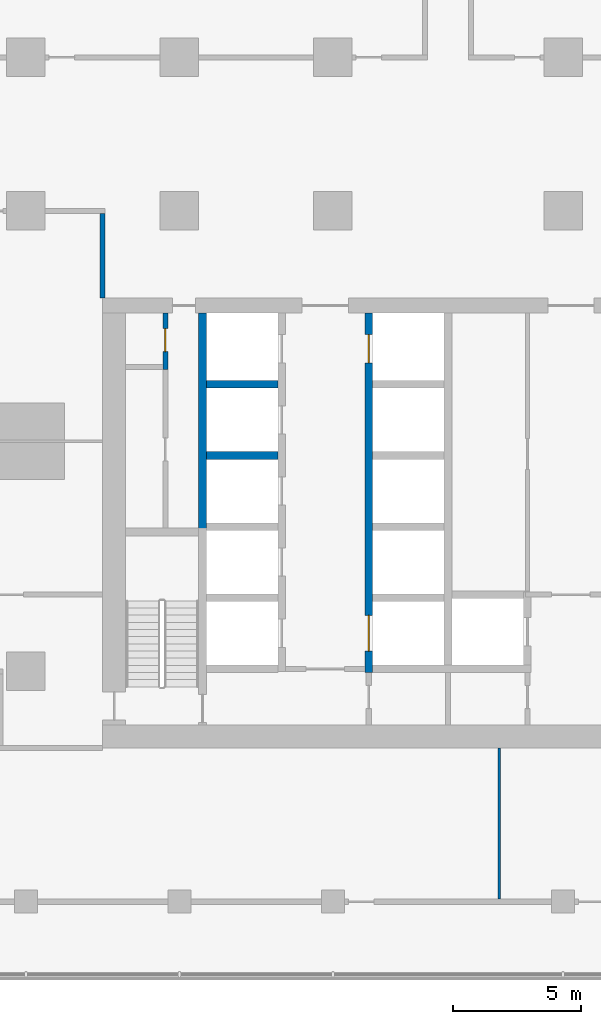
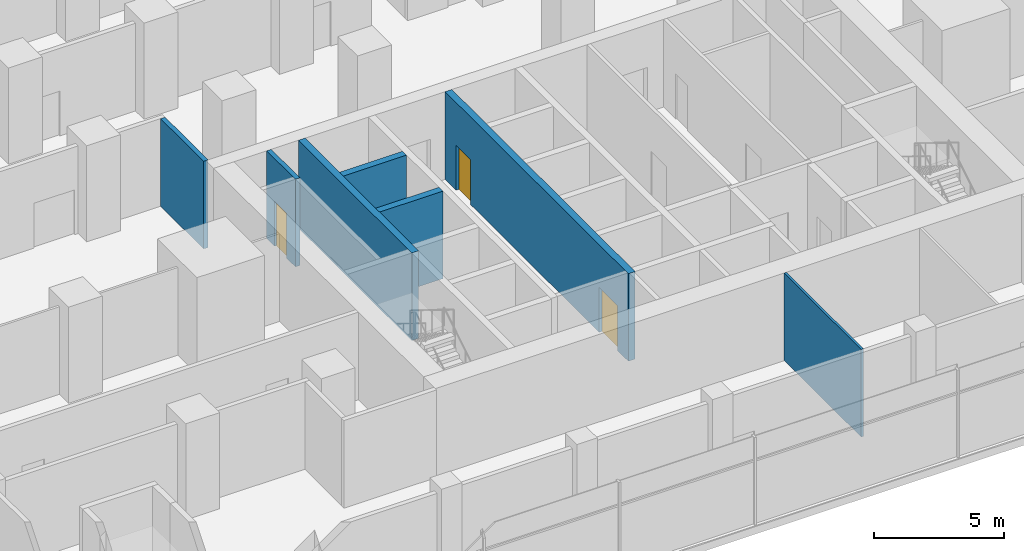
# One storey, part 13 of 22: 7 walls, 3 doors, 3 openings.
"""IFC4 building model written with IfcOpenShell, lengths in metres."""

from ifc_helpers import new_model, si_unit, direction, frame, frame_2d, origin, place, context, subcontext, project, spatial, rectangle, extrude, material, layer, layer_set, type_object, element, fill, save


model = new_model("IFC4")

# Units and contexts
model_context = context("Model", 3, precision=1e-05, world=origin(), true_north=direction((0.0, 1.0)))
body_context = subcontext(model_context, "Body", "Model", "MODEL_VIEW")
ifc_project = project(units=[si_unit("LENGTHUNIT", "METRE"), si_unit("AREAUNIT", "SQUARE_METRE"), si_unit("VOLUMEUNIT", "CUBIC_METRE"), si_unit("PLANEANGLEUNIT", "RADIAN"), si_unit("MASSUNIT", "GRAM", prefix="KILO")], contexts=[model_context])

# Site, building, storey
site_placement = place(None, origin())
site = spatial("IfcSite", under=ifc_project, at=site_placement, CompositionType="ELEMENT")
building_placement = place(site_placement, origin())
building = spatial("IfcBuilding", under=site, at=building_placement, Name="Finial Court Residences", CompositionType="ELEMENT")
storey_placement = place(building_placement, frame((0.0, 0.0, 28.0)))
storey = spatial("IfcBuildingStorey", under=building, at=storey_placement, Name="L05", CompositionType="ELEMENT", Elevation=28.0)

# Walls
ifc_material_1 = material(Name="Gypsum board")
ifc_layer_1 = layer(ifc_material_1, 0.02490234375)
ifc_material_2 = material(Name="Acoustic mineral wool in double frame")
ifc_layer_2 = layer(ifc_material_2, 0.14990234375)
ifc_layer_3 = layer(ifc_material_1, 0.02490234375)
ifc_layer_set_1 = layer_set([ifc_layer_1, ifc_layer_2, ifc_layer_3], Name="Corridor wall 200, 1 hour")
wall_type_1 = type_object("IfcWallType", Name="Corridor wall 200, 1 hour", PredefinedType="PARTITIONING", material=ifc_layer_set_1)
wall_1_placement = place(storey_placement, frame((-13.5, -7.89990234375, 0.0), z_axis=(0.0, 0.0, 1.0), x_axis=(0.0, 1.0, 0.0)))
element("IfcWall", 1, at=wall_1_placement, inside=storey, type_object=wall_type_1, Name="Partition L05-046", PredefinedType="PARTITIONING", context=body_context, shape_type="SweptSolid", body=[
    extrude(rectangle(XDim=3.2998046875, YDim=0.199951171875, at=frame_2d((1.64990234375, 0.0))), origin(), (0.0, 0.0, 1.0), 4.10009765625),
])
ifc_layer_4 = layer(ifc_material_1, 0.012451171875)
ifc_material_3 = material(Name="Mineral wool in light-gauge frame")
ifc_layer_5 = layer(ifc_material_3, 0.074951171875)
ifc_layer_6 = layer(ifc_material_1, 0.012451171875)
ifc_layer_set_2 = layer_set([ifc_layer_4, ifc_layer_5, ifc_layer_6], Name="Gypsum board partition 100")
wall_type_2 = type_object("IfcWallType", Name="Gypsum board partition 100", PredefinedType="PARTITIONING", material=ifc_layer_set_2)
wall_2_placement = place(storey_placement, frame((2.0, -31.39990234375, 0.0), z_axis=(0.0, 0.0, 1.0), x_axis=(0.0, 1.0, 0.0)))
element("IfcWall", 2, at=wall_2_placement, inside=storey, type_object=wall_type_2, Name="Partition L05-050", PredefinedType="PARTITIONING", context=body_context, shape_type="SweptSolid", body=[
    extrude(rectangle(XDim=5.89990234375, YDim=0.10009765625, at=frame_2d((2.949951171875, 0.0))), origin(), (0.0, 0.0, 1.0), 4.10009765625),
])
ifc_material_4 = material(Name="Concrete C80/95", Category="concrete")
ifc_layer_7 = layer(ifc_material_4, 0.300048828125)
ifc_layer_set_3 = layer_set([ifc_layer_7], Name="Lift shaft and stair wall 300 Concrete C80/95")
wall_type_3 = type_object("IfcWallType", Name="Lift shaft and stair wall 300 Concrete C80/95", PredefinedType="SHEAR", material=ifc_layer_set_3)
for number, where, z_axis, x_axis, name in (
    (3, (-9.449951171875, -14.06005859375, 0.0), (0.0, 0.0, 1.0), (1.0, 0.0, 0.0), "Core wall L05-14"),
    (4, (-9.449951171875, -11.280029296875, 0.0), (0.0, 0.0, 1.0), (1.0, 0.0, 0.0), "Core wall L05-17"),
):
    element("IfcWall", number, at=place(storey_placement, frame(where, z_axis=z_axis, x_axis=x_axis)), inside=storey, type_object=wall_type_3, Name=name, PredefinedType="SHEAR", context=body_context, shape_type="SweptSolid", body=[
        extrude(rectangle(XDim=2.800048828125, YDim=0.300048828125, at=frame_2d((1.39990234375, 0.0))), origin(), (0.0, 0.0, 1.0), 4.10009765625),
    ])
wall_3_placement = place(storey_placement, frame((-9.60009765625, -17.199951171875, 0.0), z_axis=(0.0, 0.0, 1.0), x_axis=(0.0, 1.0, 0.0)))
element("IfcWall", 5, at=wall_3_placement, inside=storey, type_object=wall_type_3, Name="Core wall L05-24", PredefinedType="SHEAR", context=body_context, shape_type="SweptSolid", body=[
    extrude(rectangle(XDim=8.699951171875, YDim=0.300048828125, at=frame_2d((4.35009765625, 0.0))), origin(), (0.0, 0.0, 1.0), 4.10009765625),
])

# Wall, openings, doors
wall_4_placement = place(storey_placement, frame((-3.10009765625, -22.550048828125, 0.0), z_axis=(0.0, 0.0, 1.0), x_axis=(0.0, 1.0, 0.0)))
wall_4 = element("IfcWall", 6, at=wall_4_placement, inside=storey, type_object=wall_type_3, Name="Core wall L05-27", PredefinedType="SHEAR", context=body_context, shape_type="SweptSolid", body=[
    extrude(rectangle(XDim=14.050048828125, YDim=0.300048828125, at=frame_2d((7.02490234375, 0.0))), origin(), (0.0, 0.0, 1.0), 4.10009765625),
])
opening_1_placement = place(wall_4_placement, frame((12.110107421875, 0.0, 0.0)))
opening_1 = element("IfcOpeningElement", 7, at=opening_1_placement, cuts=wall_4, Name="Opening L05-LD08", PredefinedType="OPENING", context=body_context, shape_type="SweptSolid", body=[
    extrude(rectangle(XDim=1.10009765625, YDim=2.10009765625, at=frame_2d((0.550048828125, 1.050048828125))), frame((0.0, 0.159912109375, 0.0), z_axis=(0.0, -1.0, 0.0), x_axis=(1.0, 0.0, 0.0)), (0.0, 0.0, 1.0), 0.320068359375),
])
opening_2_placement = place(wall_4_placement, frame((0.840087890625, 0.0, 0.0)))
opening_2 = element("IfcOpeningElement", 8, at=opening_2_placement, cuts=wall_4, Name="Opening L05-LD09", PredefinedType="OPENING", context=body_context, shape_type="SweptSolid", body=[
    extrude(rectangle(XDim=1.39990234375, YDim=2.10009765625, at=frame_2d((0.699951171875, 1.050048828125))), frame((0.0, 0.159912109375, 0.0), z_axis=(0.0, -1.0, 0.0), x_axis=(1.0, 0.0, 0.0)), (0.0, 0.0, 1.0), 0.320068359375),
])
ifc_material_5 = material(Name="Stainless steel lift door", Category="steel")
door_type_1 = type_object("IfcDoorType", Name="Lift landing door 1100 x 2100 EI 90", OperationType="DOUBLE_DOOR_SLIDING", PredefinedType="DOOR", material=ifc_material_5)
door_1_placement = place(opening_1_placement, origin())
door_1 = element("IfcDoor", 9, at=door_1_placement, inside=storey, type_object=door_type_1, Name="Lift landing door LR6 L05", OperationType="DOUBLE_DOOR_SLIDING", OverallHeight=2.10009765625, OverallWidth=1.10009765625, PredefinedType="DOOR", context=body_context, shape_type="SweptSolid", body=[
    extrude(rectangle(XDim=1.10009765625, YDim=2.10009765625, at=frame_2d((0.550048828125, 1.050048828125))), frame((0.0, 0.02490234375, 0.0), z_axis=(0.0, -1.0, 0.0), x_axis=(1.0, 0.0, 0.0)), (0.0, 0.0, 1.0), 0.050048828125),
])
fill(opening_1, door_1)
door_type_2 = type_object("IfcDoorType", Name="Lift landing door 1400 x 2100 EI 90", OperationType="DOUBLE_DOOR_SLIDING", PredefinedType="DOOR", material=ifc_material_5)
door_2_placement = place(opening_2_placement, origin())
door_2 = element("IfcDoor", 10, at=door_2_placement, inside=storey, type_object=door_type_2, Name="Lift landing door SV1 L05", OperationType="DOUBLE_DOOR_SLIDING", OverallHeight=2.10009765625, OverallWidth=1.39990234375, PredefinedType="DOOR", context=body_context, shape_type="SweptSolid", body=[
    extrude(rectangle(XDim=1.39990234375, YDim=2.10009765625, at=frame_2d((0.699951171875, 1.050048828125))), frame((0.0, 0.02490234375, 0.0), z_axis=(0.0, -1.0, 0.0), x_axis=(1.0, 0.0, 0.0)), (0.0, 0.0, 1.0), 0.050048828125),
])
fill(opening_2, door_2)

# Wall, opening, door
ifc_material_6 = material(Name="Fire-rated gypsum board partition")
ifc_layer_8 = layer(ifc_material_6, 0.199951171875)
ifc_layer_set_4 = layer_set([ifc_layer_8], Name="Riser room wall 200 EI 120")
wall_type_4 = type_object("IfcWallType", Name="Riser room wall 200 EI 120", PredefinedType="PARTITIONING", material=ifc_layer_set_4)
wall_5_placement = place(storey_placement, frame((-11.050048828125, -10.699951171875, 0.0), z_axis=(0.0, 0.0, 1.0), x_axis=(0.0, 1.0, 0.0)))
wall_5 = element("IfcWall", 11, at=wall_5_placement, inside=storey, type_object=wall_type_4, Name="Core partition L05-22", PredefinedType="PARTITIONING", context=body_context, shape_type="SweptSolid", body=[
    extrude(rectangle(XDim=2.199951171875, YDim=0.199951171875, at=frame_2d((1.10009765625, 0.0))), origin(), (0.0, 0.0, 1.0), 4.10009765625),
])
opening_3_placement = place(wall_5_placement, frame((0.699951171875, 0.0, 0.0)))
opening_3 = element("IfcOpeningElement", 12, at=opening_3_placement, cuts=wall_5, Name="Opening L05-C07", PredefinedType="OPENING", context=body_context, shape_type="SweptSolid", body=[
    extrude(rectangle(XDim=0.89990234375, YDim=2.10009765625, at=frame_2d((0.449951171875, 1.050048828125))), frame((0.0, 0.10986328125, 0.0), z_axis=(0.0, -1.0, 0.0), x_axis=(1.0, 0.0, 0.0)), (0.0, 0.0, 1.0), 0.219970703125),
])
ifc_material_7 = material(Name="Steel fire door", Category="steel")
door_type_3 = type_object("IfcDoorType", Name="Riser room door 900 x 2100 EI 90", OperationType="NOTDEFINED", PredefinedType="DOOR", material=ifc_material_7)
door_3_placement = place(opening_3_placement, origin())
door_3 = element("IfcDoor", 13, at=door_3_placement, inside=storey, type_object=door_type_3, Name="Riser room door L05-C07", OperationType="SINGLE_SWING_LEFT", OverallHeight=2.10009765625, OverallWidth=0.89990234375, PredefinedType="DOOR", context=body_context, shape_type="SweptSolid", body=[
    extrude(rectangle(XDim=0.89990234375, YDim=2.10009765625, at=frame_2d((0.449951171875, 1.050048828125))), frame((0.0, 0.02490234375, 0.0), z_axis=(0.0, -1.0, 0.0), x_axis=(1.0, 0.0, 0.0)), (0.0, 0.0, 1.0), 0.050048828125),
])
fill(opening_3, door_3)

save(model, "model.ifc")
